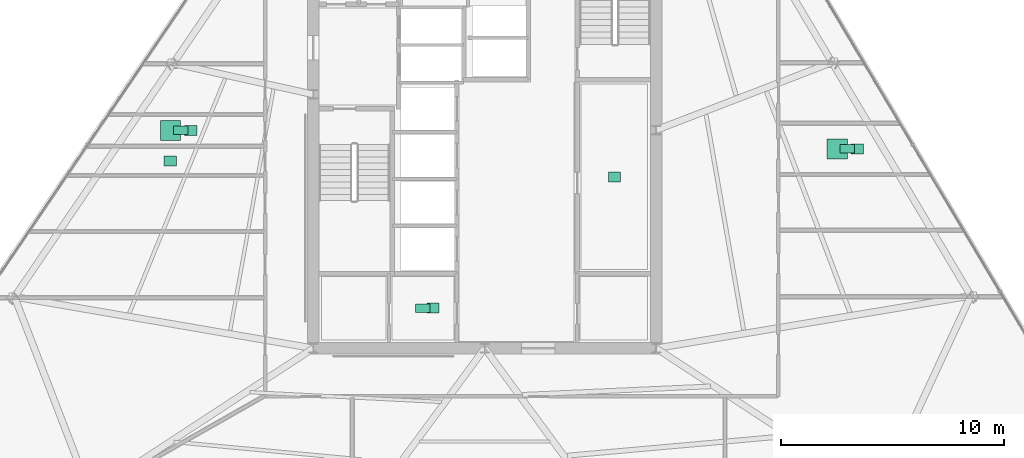
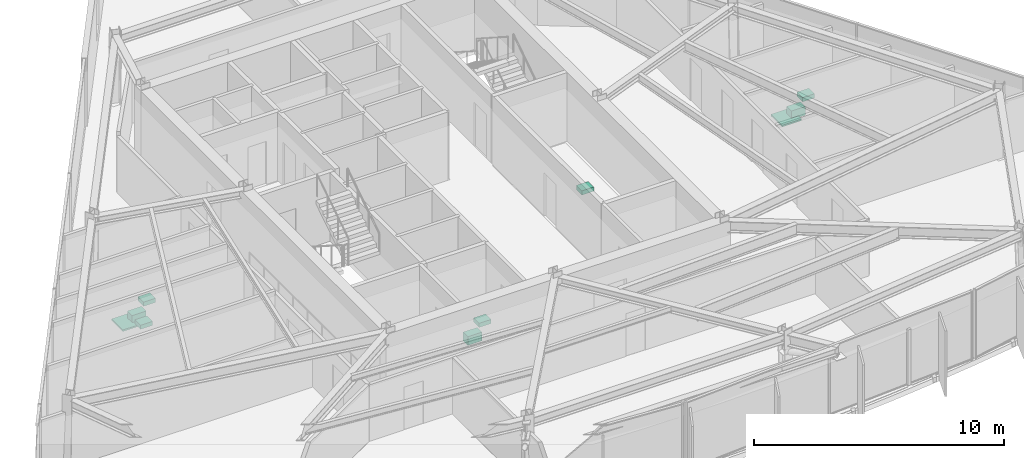
# One storey, part 16 of 16: 10 sanitary terminals.
"""IFC4 building model written with IfcOpenShell, lengths in metres."""

from ifc_helpers import new_model, si_unit, direction, frame, origin, origin_2d, place, context, subcontext, project, spatial, rectangle, extrude, material, type_object, element, save


model = new_model("IFC4")

# Units and contexts
model_context = context("Model", 3, precision=1e-05, world=origin(), true_north=direction((0.0, 1.0)))
body_context = subcontext(model_context, "Body", "Model", "MODEL_VIEW")
ifc_project = project(units=[si_unit("LENGTHUNIT", "METRE"), si_unit("AREAUNIT", "SQUARE_METRE"), si_unit("VOLUMEUNIT", "CUBIC_METRE"), si_unit("PLANEANGLEUNIT", "RADIAN"), si_unit("MASSUNIT", "GRAM", prefix="KILO")], contexts=[model_context])

# Site, building, storey
site_placement = place(None, origin())
site = spatial("IfcSite", under=ifc_project, at=site_placement, CompositionType="ELEMENT")
building_placement = place(site_placement, origin())
building = spatial("IfcBuilding", under=site, at=building_placement, Name="Savorim Split Tower", CompositionType="ELEMENT")
storey_placement = place(building_placement, frame((0.0, 0.0, 156.60009765625)))
storey = spatial("IfcBuildingStorey", under=building, at=storey_placement, Name="L41", CompositionType="ELEMENT", Elevation=156.60009765625)

# Sanitary terminals
ifc_material = material(Name="Vitreous China Sanitaryware")
sanitary_terminal_type_1 = type_object("IfcSanitaryTerminalType", Name="SAN-SHW-900", PredefinedType="SHOWER", material=ifc_material)
for number, where, z_axis, x_axis, name in (
    (1, (-14.104248046875, 0.38330078125, -0.000244140625), (0.0, 0.0, 1.0), (1.0, 0.0, 0.0), "L41 Shared Bathroom Shower"),
    (2, (15.83056640625, -0.44482421875, -0.000244140625), (0.0, 0.0, 1.0), (1.0, 0.0, 0.0), "L41 Shared Bathroom Shower"),
):
    element("IfcSanitaryTerminal", number, at=place(storey_placement, frame(where, z_axis=z_axis, x_axis=x_axis)), inside=storey, type_object=sanitary_terminal_type_1, Name=name, PredefinedType="SHOWER", context=body_context, shape_type="SweptSolid", body=[
        extrude(rectangle(XDim=0.89990234375, YDim=0.89990234375, at=origin_2d()), origin(), (0.0, 0.0, 1.0), 0.080078125),
    ])
sanitary_terminal_type_2 = type_object("IfcSanitaryTerminalType", Name="SAN-WC-PAN", PredefinedType="TOILETPAN", material=ifc_material)
for number, where, z_axis, x_axis, name in (
    (3, (-2.77490234375, -7.60009765625, 0.0), (0.0, 0.0, 1.0), (1.0, 0.0, 0.0), "L41 Accessible WC WC Pan"),
    (4, (-13.654296875, 0.38330078125, 0.0), (0.0, 0.0, 1.0), (1.0, 0.0, 0.0), "L41 Shared Bathroom WC Pan"),
    (5, (16.280517578125, -0.44482421875, 0.0), (0.0, 0.0, 1.0), (1.0, 0.0, 0.0), "L41 Shared Bathroom WC Pan"),
):
    element("IfcSanitaryTerminal", number, at=place(storey_placement, frame(where, z_axis=z_axis, x_axis=x_axis)), inside=storey, type_object=sanitary_terminal_type_2, Name=name, PredefinedType="TOILETPAN", context=body_context, shape_type="SweptSolid", body=[
        extrude(rectangle(XDim=0.64990234375, YDim=0.3798828125, at=origin_2d()), origin(), (0.0, 0.0, 1.0), 0.419921875),
    ])
sanitary_terminal_type_3 = type_object("IfcSanitaryTerminalType", Name="SAN-WHB-550", PredefinedType="WASHHANDBASIN", material=ifc_material)
for number, where, z_axis, x_axis, name in (
    (6, (5.824951171875, -1.699951171875, 0.75), (0.0, 0.0, 1.0), (1.0, 0.0, 0.0), "L41 Community Laundry Room Utility Sink"),
    (7, (-2.324951171875, -7.60009765625, 0.7197265625), (0.0, 0.0, 1.0), (1.0, 0.0, 0.0), "L41 Accessible WC Washhand Basin"),
    (8, (-13.2041015625, 0.38330078125, 0.7197265625), (0.0, 0.0, 1.0), (1.0, 0.0, 0.0), "L41 Shared Bathroom Washhand Basin"),
    (9, (-14.12060546875, -0.98828125, 0.75), (0.0, 0.0, 1.0), (1.0, 0.0, 0.0), "L41 Shared Kitchen Utility Sink"),
    (10, (16.730712890625, -0.44482421875, 0.7197265625), (0.0, 0.0, 1.0), (1.0, 0.0, 0.0), "L41 Shared Bathroom Washhand Basin"),
):
    element("IfcSanitaryTerminal", number, at=place(storey_placement, frame(where, z_axis=z_axis, x_axis=x_axis)), inside=storey, type_object=sanitary_terminal_type_3, Name=name, PredefinedType="WASHHANDBASIN", context=body_context, shape_type="SweptSolid", body=[
        extrude(rectangle(XDim=0.550048828125, YDim=0.449951171875, at=origin_2d()), origin(), (0.0, 0.0, 1.0), 0.199951171875),
    ])

save(model, "model.ifc")
